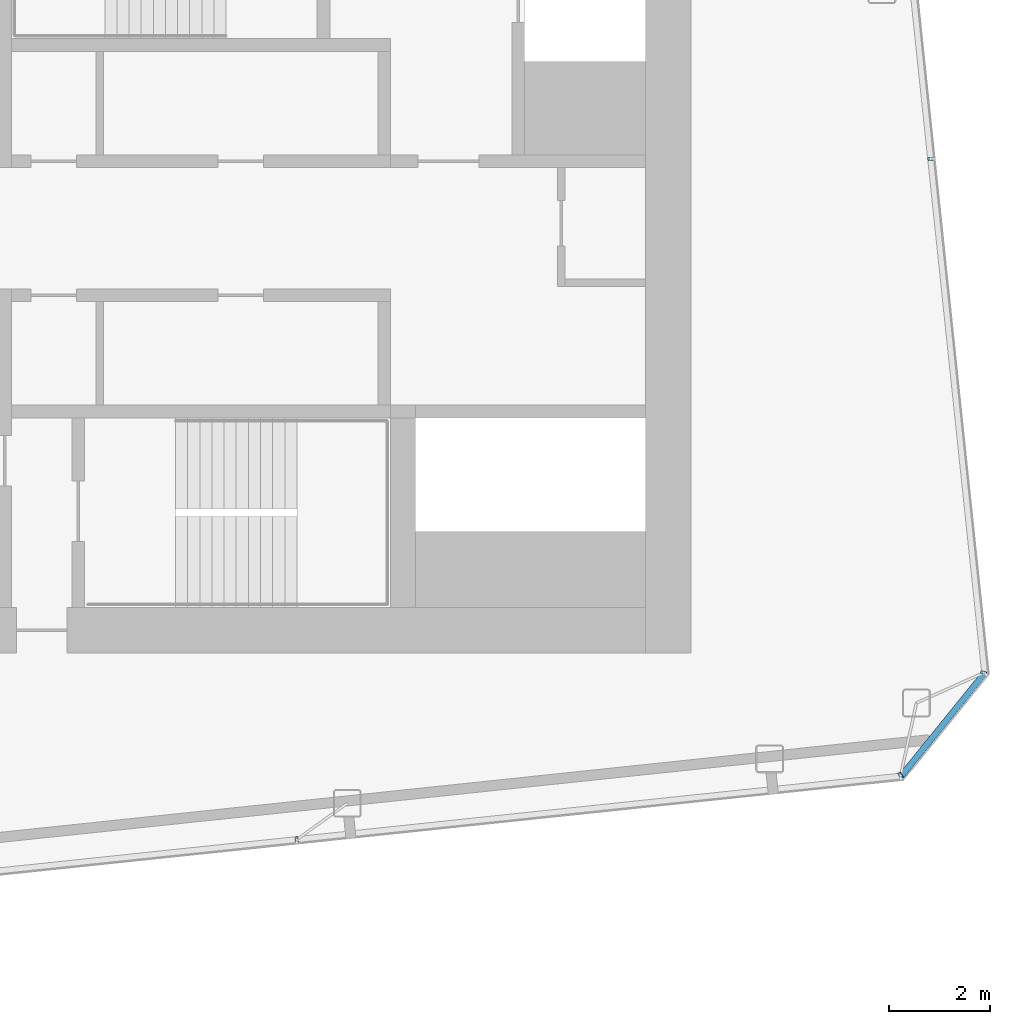
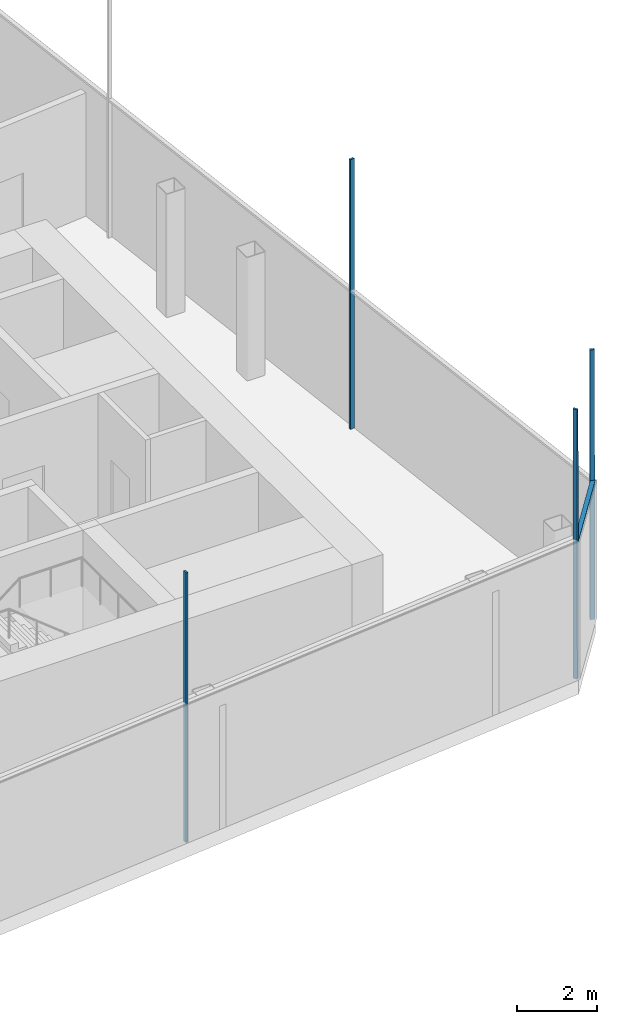
# One storey, part 13 of 41: 5 members, 3 elements without a shape of their own.
"""IFC4 building model written with IfcOpenShell, lengths in metres."""

from ifc_helpers import new_model, si_unit, direction, frame, origin, origin_2d, place, context, subcontext, project, spatial, rectangle, extrude, material, layer, layer_set, material_profile, profile_set, type_object, element, aggregate, save


model = new_model("IFC4")

# Units and contexts
model_context = context("Model", 3, precision=1e-05, world=origin(), true_north=direction((0.0, 1.0)))
body_context = subcontext(model_context, "Body", "Model", "MODEL_VIEW")
ifc_project = project(units=[si_unit("LENGTHUNIT", "METRE"), si_unit("AREAUNIT", "SQUARE_METRE"), si_unit("VOLUMEUNIT", "CUBIC_METRE"), si_unit("PLANEANGLEUNIT", "RADIAN"), si_unit("MASSUNIT", "GRAM", prefix="KILO")], contexts=[model_context])

# Site, building, storey
site_placement = place(None, origin())
site = spatial("IfcSite", under=ifc_project, at=site_placement, CompositionType="ELEMENT")
building_placement = place(site_placement, origin())
building = spatial("IfcBuilding", under=site, at=building_placement, Name="Hakoniwa Tower and Hamabe Station Hall", CompositionType="ELEMENT")
storey_placement = place(building_placement, frame((0.0, 0.0, 276.60009765625)))
storey = spatial("IfcBuildingStorey", under=building, at=storey_placement, Name="L77", CompositionType="ELEMENT", Elevation=276.60009765625)

# Curtain wall, members
ifc_material_1 = material(Name="Dark low-e laminated glass", Category="glass")
ifc_layer = layer(ifc_material_1, 0.199951171875)
ifc_layer_set = layer_set([ifc_layer], Name="CW-4 CROWN FACETS")
curtain_wall_type = type_object("IfcCurtainWallType", Name="CW-4 CROWN FACETS", PredefinedType="NOTDEFINED", material=ifc_layer_set)
curtain_wall_1_placement = place(storey_placement, origin())
curtain_wall_1 = element("IfcCurtainWall", 1, at=curtain_wall_1_placement, inside=storey, type_object=curtain_wall_type, Name="Crown skirt facet L77", PredefinedType="NOTDEFINED")
ifc_material_2 = material(Name="Aluminium 6063-T5 black anodised", Category="aluminium")
ifc_material_profile = material_profile(ifc_material_2, rectangle(XDim=0.06005859375, YDim=0.1201171875, at=origin_2d()), Name="CW-4 GLAZING BAR 60X120")
ifc_profile_set = profile_set([ifc_material_profile], Name="Aluminium 6063-T5 black anodised")
member_type = type_object("IfcMemberType", Name="CW-4 GLAZING BAR 60X120", PredefinedType="MULLION", material=ifc_profile_set)
member_1_placement = place(storey_placement, frame((25.79345703125, -12.09375, 0.0), z_axis=(0.0, 0.0, 1.0), x_axis=(-0.994521896233, -0.10452845504, 0.0)))
member_1 = element("IfcMember", 2, at=member_1_placement, type_object=member_type, Name="Crown glazing bar", PredefinedType="MULLION", context=body_context, shape_type="SweptSolid", body=[
    extrude(rectangle(XDim=0.06005859375, YDim=0.1201171875, at=origin_2d()), origin(), (0.0, 0.0, 1.0), 8.199951171875),
])
member_2_placement = place(storey_placement, frame((37.7451171875, -10.821044921875, 0.0), z_axis=(-0.00119093612, 8.9320209e-05, 0.999999286846), x_axis=(-0.878817230453, -0.477158203028, 4.2619901e-05)))
member_2 = element("IfcMember", 3, at=member_2_placement, type_object=member_type, Name="Crown glazing bar", PredefinedType="MULLION", context=body_context, shape_type="SweptSolid", body=[
    extrude(rectangle(XDim=0.06005859375, YDim=0.1201171875, at=origin_2d()), origin(), (0.0, 0.0, 1.0), 8.199951171875),
])
aggregate(curtain_wall_1, [member_1, member_2])

# Curtain wall, member
curtain_wall_2_placement = place(storey_placement, origin())
curtain_wall_2 = element("IfcCurtainWall", 4, at=curtain_wall_2_placement, inside=storey, type_object=curtain_wall_type, Name="Crown skirt facet L77", PredefinedType="NOTDEFINED")
member_3_placement = place(storey_placement, frame((38.338134765625, 1.371337890625, 0.0), z_axis=(0.0, 0.0, 1.0), x_axis=(0.104528443376, -0.994521897459, 0.0)))
member_3 = element("IfcMember", 5, at=member_3_placement, type_object=member_type, Name="Crown glazing bar", PredefinedType="MULLION", context=body_context, shape_type="SweptSolid", body=[
    extrude(rectangle(XDim=0.06005859375, YDim=0.1201171875, at=origin_2d()), origin(), (0.0, 0.0, 1.0), 8.199951171875),
])
aggregate(curtain_wall_2, [member_3])

# Curtain wall, members
curtain_wall_3_placement = place(storey_placement, origin())
curtain_wall_3 = element("IfcCurtainWall", 6, at=curtain_wall_3_placement, inside=storey, type_object=curtain_wall_type, Name="Crown skirt facet L77", PredefinedType="NOTDEFINED")
member_4_placement = place(storey_placement, frame((39.389404296875, -8.79052734375, 0.0), z_axis=(-0.000744335379, 0.000238187321, 0.999999694616), x_axis=(-0.284015317192, -0.958819450209, 0.000228378706)))
member_4 = element("IfcMember", 7, at=member_4_placement, type_object=member_type, Name="Crown glazing bar", PredefinedType="MULLION", context=body_context, shape_type="SweptSolid", body=[
    extrude(rectangle(XDim=0.06005859375, YDim=0.1201171875, at=origin_2d()), origin(), (0.0, 0.0, 1.0), 8.199951171875),
])
member_5_placement = place(storey_placement, frame((37.753662109375, -10.836669921875, 4.199951171875), z_axis=(0.629331927402, 0.777136619362, 0.0), x_axis=(0.0, 0.0, 1.0)))
member_5 = element("IfcMember", 8, at=member_5_placement, type_object=member_type, Name="Crown glazing bar", PredefinedType="MULLION", context=body_context, shape_type="SweptSolid", body=[
    extrude(rectangle(XDim=0.06005859375, YDim=0.1201171875, at=origin_2d()), origin(), (0.0, 0.0, 1.0), 2.626220703125),
])
aggregate(curtain_wall_3, [member_4, member_5])

save(model, "model.ifc")
